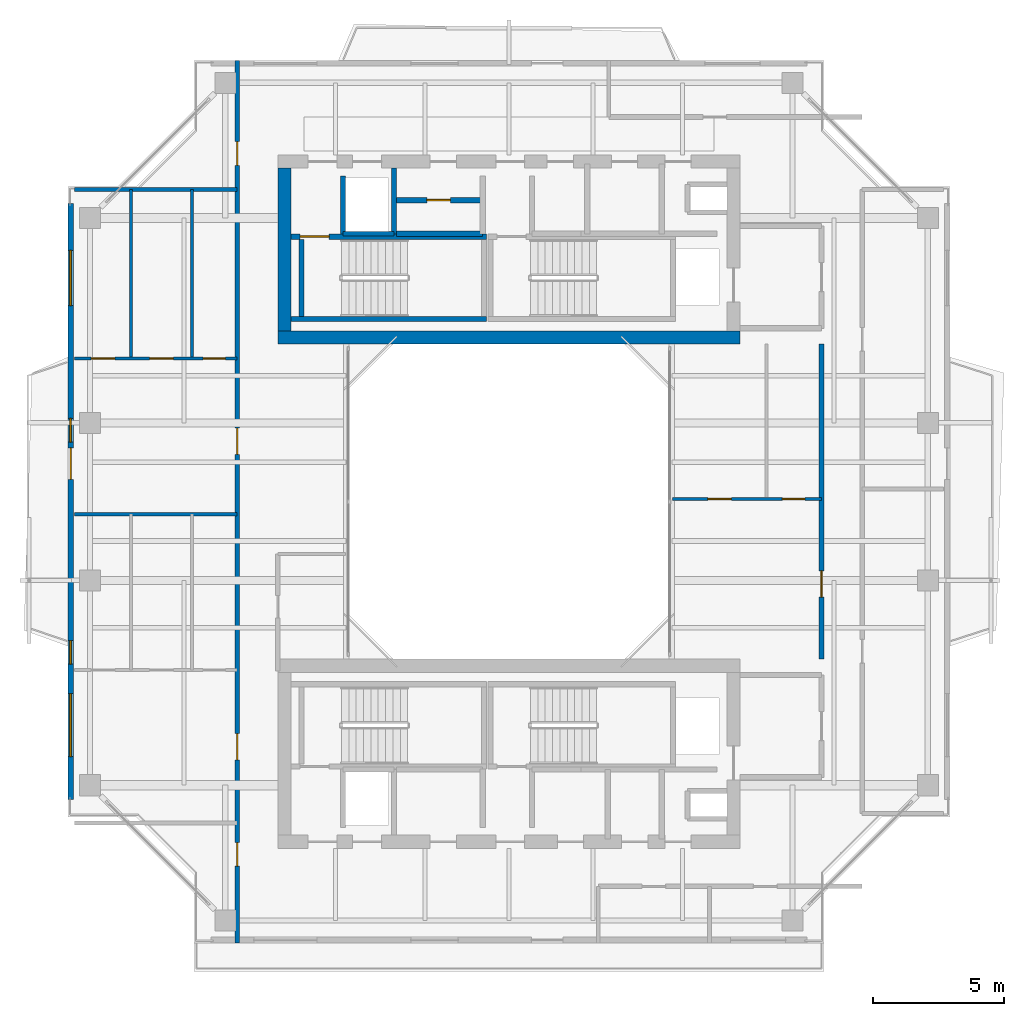
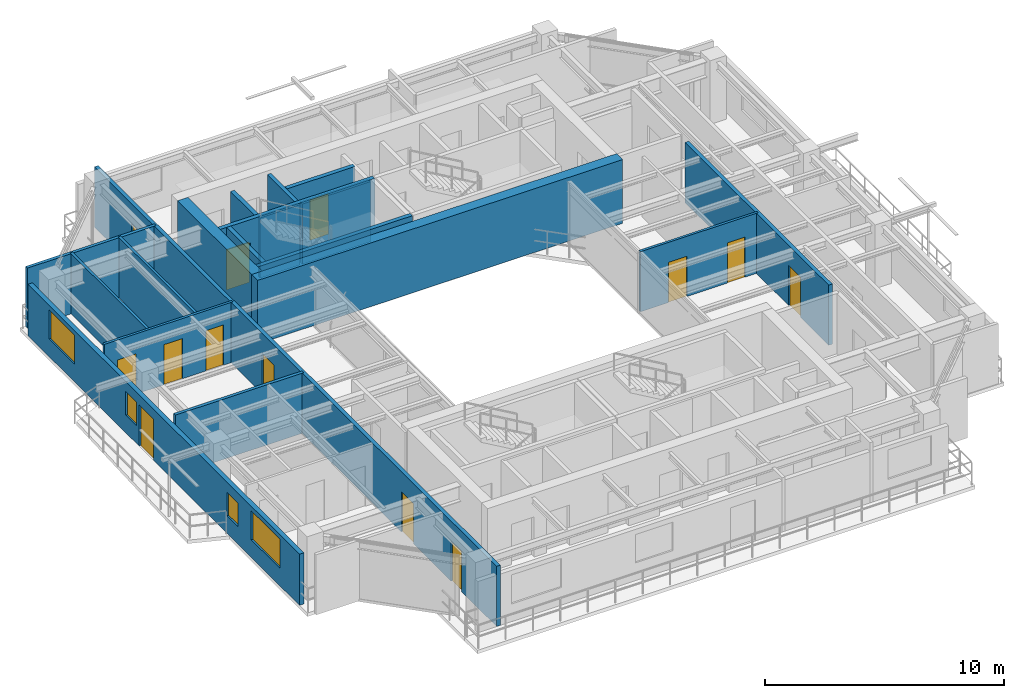
# One storey, part 11 of 16: 19 walls, 13 doors, 4 windows, 17 openings.
"""IFC4 building model written with IfcOpenShell, lengths in metres."""

import ifcopenshell
import ifcopenshell.guid

model = None  # the IFC model being written
_history = None  # IfcOwnerHistory: only IFC2X3 demands one
_inside = {}  # id of a spatial element -> (the spatial element, [elements in it])
_under = {}  # id of a project, library or spatial element -> (it, [spatial elements below it])
_declared = {}  # id of a project -> (the project, [libraries it declares])
_typed = {}  # id of a type object -> (the type object, [elements of that type])
_made_of = {}  # id of a material, layer set ... -> (it, [elements and type objects made of it])


def new_model(schema):
    """Start an empty IFC model of exactly this schema.

    Asked for "IFC4X3", IfcOpenShell would pick the latest addendum, in which some entities
    have other attributes; the version numbers below select the first issue.
    IFC2X3 requires an IfcOwnerHistory on every rooted entity: one is made here for all.
    """
    global model, _history
    if schema == "IFC4X3":
        model = ifcopenshell.file(schema_version=(4, 3, 0, 0))
    else:
        model = ifcopenshell.file(schema=schema)
    _inside.clear()
    _under.clear()
    _declared.clear()
    _typed.clear()
    _made_of.clear()
    _history = None
    if model.schema == "IFC2X3":
        org = make("IfcOrganization", Name="unknown")
        user = make(
            "IfcPersonAndOrganization",
            ThePerson=make("IfcPerson", FamilyName="unknown"),
            TheOrganization=org,
        )
        app = make(
            "IfcApplication",
            ApplicationDeveloper=org,
            Version="unknown",
            ApplicationFullName="unknown",
            ApplicationIdentifier="unknown",
        )
        _history = make(
            "IfcOwnerHistory",
            OwningUser=user,
            OwningApplication=app,
            ChangeAction="ADDED",
            CreationDate=0,
        )
    return model


def make(cls, **values):
    """One entity of the class cls with the attributes given. An attribute that is None is left unset."""
    return model.create_entity(
        cls, **{name: value for name, value in values.items() if value is not None}
    )


def rooted(cls, **values):
    """An entity with a GlobalId (a new one), such as an element, a storey or a relation."""
    return make(cls, GlobalId=ifcopenshell.guid.new(), OwnerHistory=_history, **values)


def si_unit(unit_type, name, prefix=None):
    """IfcSIUnit, for example si_unit("LENGTHUNIT", "METRE", prefix="MILLI")."""
    return make("IfcSIUnit", UnitType=unit_type, Prefix=prefix, Name=name)


def assignment(units):
    """IfcUnitAssignment: the units of a project."""
    return None if units is None else make("IfcUnitAssignment", Units=units)


def point(xyz):
    """IfcCartesianPoint."""
    return None if xyz is None else make("IfcCartesianPoint", Coordinates=xyz)


def direction(xyz):
    """IfcDirection."""
    return None if xyz is None else make("IfcDirection", DirectionRatios=xyz)


def frame(location, z_axis=None, x_axis=None):
    """IfcAxis2Placement3D, a coordinate frame: its origin and axes. An axis left out is left unset."""
    return make(
        "IfcAxis2Placement3D",
        Location=point(location),
        Axis=direction(z_axis),
        RefDirection=direction(x_axis),
    )


def frame_2d(location, x_axis=None):
    """IfcAxis2Placement2D, a coordinate frame in the plane: its origin and x axis."""
    return make(
        "IfcAxis2Placement2D", Location=point(location), RefDirection=direction(x_axis)
    )


def origin():
    """The frame at (0, 0, 0) with its axes left unset."""
    return frame((0.0, 0.0, 0.0))


def place(relative_to, where):
    """IfcLocalPlacement: puts the frame where relative to a parent placement (None: the world)."""
    return make(
        "IfcLocalPlacement", PlacementRelTo=relative_to, RelativePlacement=where
    )


def context(
    kind, dimensions, precision=None, world=None, true_north=None, identifier=None
):
    """IfcGeometricRepresentationContext, for example the 3D "Model" context."""
    return make(
        "IfcGeometricRepresentationContext",
        ContextIdentifier=identifier,
        ContextType=kind,
        CoordinateSpaceDimension=dimensions,
        Precision=precision,
        WorldCoordinateSystem=world,
        TrueNorth=true_north,
    )


def subcontext(parent, identifier, kind, view, scale=None):
    """IfcGeometricRepresentationSubContext, for example "Body" below "Model"."""
    return make(
        "IfcGeometricRepresentationSubContext",
        ContextIdentifier=identifier,
        ContextType=kind,
        ParentContext=parent,
        TargetScale=scale,
        TargetView=view,
    )


def project(units=None, contexts=None):
    """IfcProject with its units and contexts."""
    return rooted(
        "IfcProject",
        Name="project",
        RepresentationContexts=contexts,
        UnitsInContext=assignment(units),
    )


def spatial(cls, under=None, at=None, **own):
    """A site, building, storey or space (cls), placed at a placement, below another one or the project."""
    s = rooted(cls, ObjectPlacement=at, **own)
    if under is not None:
        _under.setdefault(under.id(), (under, []))[1].append(s)
    return s


def profile(cls, at=None, kind="AREA", **sizes):
    """A parametric profile (cls). Its sizes go by their IFC names, for example OverallWidth=200.0."""
    return make(cls, ProfileType=kind, Position=at, **sizes)


def rectangle(**sizes):
    """IfcRectangleProfileDef."""
    return profile("IfcRectangleProfileDef", **sizes)


def extrude(swept, where, along, depth):
    """IfcExtrudedAreaSolid: the profile swept, set in the frame where, extruded along a direction by depth."""
    return make(
        "IfcExtrudedAreaSolid",
        SweptArea=swept,
        Position=where,
        ExtrudedDirection=direction(along),
        Depth=depth,
    )


def shape(context_of_items, identifier, shape_type, items):
    """IfcShapeRepresentation: the items that make up one representation, for example the "Body"."""
    return make(
        "IfcShapeRepresentation",
        ContextOfItems=context_of_items,
        RepresentationIdentifier=identifier,
        RepresentationType=shape_type,
        Items=items,
    )


def source(mapping_origin, context_of_items, identifier, shape_type, items):
    """IfcRepresentationMap: a shape defined once, which mapped items show again and again."""
    return make(
        "IfcRepresentationMap",
        MappingOrigin=mapping_origin,
        MappedRepresentation=shape(context_of_items, identifier, shape_type, items),
    )


def transform(
    local_origin,
    x_axis=None,
    y_axis=None,
    z_axis=None,
    scale=None,
    scale2=None,
    scale3=None,
    uniform=True,
):
    """IfcCartesianTransformationOperator3D, or its non-uniform kind. x_axis, y_axis, z_axis: its Axis1, 2, 3."""
    if uniform:
        return make(
            "IfcCartesianTransformationOperator3D",
            Axis1=direction(x_axis),
            Axis2=direction(y_axis),
            LocalOrigin=point(local_origin),
            Scale=scale,
            Axis3=direction(z_axis),
        )
    return make(
        "IfcCartesianTransformationOperator3DnonUniform",
        Axis1=direction(x_axis),
        Axis2=direction(y_axis),
        LocalOrigin=point(local_origin),
        Scale=scale,
        Axis3=direction(z_axis),
        Scale2=scale2,
        Scale3=scale3,
    )


def mapped(mapping_source, mapping_target):
    """IfcMappedItem: shows the shape of a source again, moved by a transform."""
    return make(
        "IfcMappedItem", MappingSource=mapping_source, MappingTarget=mapping_target
    )


def material(Name=None, Category=None):
    """IfcMaterial."""
    return make("IfcMaterial", Name=Name, Category=Category)


def layer(
    of_material, thickness, ventilated=None, Name=None, Category=None, Priority=None
):
    """IfcMaterialLayer: one layer of a wall or slab, of a material (None: an air gap)."""
    return make(
        "IfcMaterialLayer",
        Material=of_material,
        LayerThickness=thickness,
        IsVentilated=ventilated,
        Name=Name,
        Category=Category,
        Priority=Priority,
    )


def layer_set(layers, Name=None):
    """IfcMaterialLayerSet."""
    return make("IfcMaterialLayerSet", MaterialLayers=layers, LayerSetName=Name)


def made_of(thing, what):
    """Note that an element or type object is made of a material, layer set ...; save() writes the relation."""
    if what is not None:
        _made_of.setdefault(what.id(), (what, []))[1].append(thing)
    return thing


def type_object(cls, material=None, **own):
    """A type object (cls), such as IfcWallType, which elements share."""
    return made_of(rooted(cls, **own), material)


def element(
    cls,
    number,
    at=None,
    inside=None,
    cuts=None,
    type_object=None,
    material=None,
    context=None,
    identifier="Body",
    shape_type=None,
    held_by="IfcProductDefinitionShape",
    body=None,
    shapes=None,
    **own,
):
    """One element of the class cls, such as IfcWall. Its Tag is "e" and its number.

    at: its placement. inside: the storey or other place that contains it. cuts: it is an
    opening in that element (IfcRelVoidsElement). A single representation is given by context,
    identifier, shape_type and body (its items); several are given by shapes. held_by: the class
    of the entity that holds the representations. save() writes the other relations.
    """
    e = rooted(cls, Tag="e%d" % number, ObjectPlacement=at, **own)
    if body is not None:
        shapes = [shape(context, identifier, shape_type, body)]
    if shapes is not None:
        e.Representation = make(held_by, Representations=shapes)
    if inside is not None:
        _inside.setdefault(inside.id(), (inside, []))[1].append(e)
    if cuts is not None:
        rooted(
            "IfcRelVoidsElement", RelatingBuildingElement=cuts, RelatedOpeningElement=e
        )
    if type_object is not None:
        _typed.setdefault(type_object.id(), (type_object, []))[1].append(e)
    return made_of(e, material)


def fill(opening, filler):
    """IfcRelFillsElement: the door or window that sits in an opening."""
    return rooted(
        "IfcRelFillsElement",
        RelatingOpeningElement=opening,
        RelatedBuildingElement=filler,
    )


def aggregate(whole, parts):
    """IfcRelAggregates: a whole, such as a stair, and the parts it consists of."""
    return rooted("IfcRelAggregates", RelatingObject=whole, RelatedObjects=parts)


def save(model, path):
    """Write the relations noted so far, then the file.

    IfcRelAggregates (storeys below a building ...), IfcRelContainedInSpatialStructure (elements
    in a storey), IfcRelDefinesByType, IfcRelAssociatesMaterial and IfcRelDeclares: one each for
    every whole, place, type object, material and project.
    """
    for whole, parts in _under.values():
        aggregate(whole, parts)
    for where, things in _inside.values():
        rooted(
            "IfcRelContainedInSpatialStructure",
            RelatedElements=things,
            RelatingStructure=where,
        )
    for kind, things in _typed.values():
        rooted("IfcRelDefinesByType", RelatedObjects=things, RelatingType=kind)
    for what, things in _made_of.values():
        rooted("IfcRelAssociatesMaterial", RelatedObjects=things, RelatingMaterial=what)
    for by, libraries in _declared.values():
        rooted("IfcRelDeclares", RelatingContext=by, RelatedDefinitions=libraries)
    model.write(path)


model = new_model("IFC4")

# Units and contexts
model_context = context("Model", 3, precision=1e-05, world=origin(), true_north=direction((0.0, 1.0)))
body_context = subcontext(model_context, "Body", "Model", "MODEL_VIEW")
ifc_project = project(units=[si_unit("LENGTHUNIT", "METRE"), si_unit("AREAUNIT", "SQUARE_METRE"), si_unit("VOLUMEUNIT", "CUBIC_METRE"), si_unit("PLANEANGLEUNIT", "RADIAN"), si_unit("MASSUNIT", "GRAM", prefix="KILO"), si_unit("THERMODYNAMICTEMPERATUREUNIT", "KELVIN"), si_unit("POWERUNIT", "WATT")], contexts=[model_context])

# Site, building, storey
site_placement = place(None, origin())
site = spatial("IfcSite", under=ifc_project, at=site_placement, CompositionType="ELEMENT")
building_placement = place(site_placement, origin())
building = spatial("IfcBuilding", under=site, at=building_placement, Name="Qiaomeng Ring Towers", CompositionType="ELEMENT")
storey_placement = place(building_placement, frame((0.0, 0.0, 190.5)))
storey = spatial("IfcBuildingStorey", under=building, at=storey_placement, Name="L55", CompositionType="ELEMENT", Elevation=190.5)

# Wall, openings, windows, door
ifc_material_1 = material(Name="Precast concrete C40", Category="concrete")
ifc_layer_1 = layer(ifc_material_1, 0.219970703125, Name="Precast concrete C40")
ifc_layer_set_1 = layer_set([ifc_layer_1], Name="Precast concrete C40")
wall_type_1 = type_object("IfcWallType", Name="ARC-WL-EW2", PredefinedType="STANDARD", material=ifc_layer_set_1)
wall_1_placement = place(storey_placement, frame((2.31005859375, 11.64990234375, 0.0), z_axis=(0.0, 0.0, 1.0), x_axis=(0.0, 1.0, 0.0)))
wall_1 = element("IfcWall", 1, at=wall_1_placement, inside=storey, type_object=wall_type_1, Name="L55 Tower 1 W Exterior Wall", PredefinedType="STANDARD", context=body_context, shape_type="SweptSolid", body=[
    extrude(rectangle(XDim=22.7001953125, YDim=0.219970703125, at=frame_2d((11.35009765625, 0.0))), origin(), (0.0, 0.0, 1.0), 2.610107421875),
])
opening_1_placement = place(wall_1_placement, frame((12.199951171875, 0.0, 0.0)))
opening_1 = element("IfcOpeningElement", 2, at=opening_1_placement, cuts=wall_1, Name="Opening BD1", PredefinedType="OPENING", context=body_context, shape_type="SweptSolid", body=[
    extrude(rectangle(XDim=1.199951171875, YDim=2.10009765625, at=frame_2d((0.60009765625, 1.050048828125))), frame((0.0, 0.119873046875, 0.0), z_axis=(0.0, -1.0, 0.0), x_axis=(1.0, 0.0, 0.0)), (0.0, 0.0, 1.0), 0.239990234375),
])
opening_2_placement = place(wall_1_placement, frame((1.637939453125, 0.0, 0.89990234375)))
opening_2 = element("IfcOpeningElement", 3, at=opening_2_placement, cuts=wall_1, Name="Opening WN6", PredefinedType="OPENING", context=body_context, shape_type="SweptSolid", body=[
    extrude(rectangle(XDim=2.39990234375, YDim=1.47998046875, at=frame_2d((1.199951171875, 0.739990234375))), frame((0.0, 0.119873046875, 0.0), z_axis=(0.0, -1.0, 0.0), x_axis=(1.0, 0.0, 0.0)), (0.0, 0.0, 1.0), 0.239990234375),
])
opening_3_placement = place(wall_1_placement, frame((18.81298828125, 0.0, 0.89990234375)))
opening_3 = element("IfcOpeningElement", 4, at=opening_3_placement, cuts=wall_1, Name="Opening WN4", PredefinedType="OPENING", context=body_context, shape_type="SweptSolid", body=[
    extrude(rectangle(XDim=2.10009765625, YDim=1.47998046875, at=frame_2d((1.050048828125, 0.739990234375))), frame((0.0, 0.119873046875, 0.0), z_axis=(0.0, -1.0, 0.0), x_axis=(1.0, 0.0, 0.0)), (0.0, 0.0, 1.0), 0.239990234375),
])
opening_4_placement = place(wall_1_placement, frame((5.159912109375, 0.0, 0.89990234375)))
opening_4 = element("IfcOpeningElement", 5, at=opening_4_placement, cuts=wall_1, Name="Opening WN5", PredefinedType="OPENING", context=body_context, shape_type="SweptSolid", body=[
    extrude(rectangle(XDim=0.89990234375, YDim=1.199951171875, at=frame_2d((0.449951171875, 0.60009765625))), frame((0.0, 0.119873046875, 0.0), z_axis=(0.0, -1.0, 0.0), x_axis=(1.0, 0.0, 0.0)), (0.0, 0.0, 1.0), 0.239990234375),
])
opening_5_placement = place(wall_1_placement, frame((13.6201171875, 0.0, 0.89990234375)))
opening_5 = element("IfcOpeningElement", 6, at=opening_5_placement, cuts=wall_1, Name="Opening WN5", PredefinedType="OPENING", context=body_context, shape_type="SweptSolid", body=[
    extrude(rectangle(XDim=0.89990234375, YDim=1.199951171875, at=frame_2d((0.449951171875, 0.60009765625))), frame((0.0, 0.119873046875, 0.0), z_axis=(0.0, -1.0, 0.0), x_axis=(1.0, 0.0, 0.0)), (0.0, 0.0, 1.0), 0.239990234375),
])
ifc_material_2 = material(Name="Low-E dark-grey laminated double glazing", Category="glass")
window_type_1 = type_object("IfcWindowType", Name="ARC-WN-4", PartitioningType="TRIPLE_PANEL_VERTICAL", PredefinedType="WINDOW", material=ifc_material_2)
shared_shape_1 = source(origin(), body_context, "Body", "SweptSolid", [
    extrude(rectangle(XDim=2.10009765625, YDim=1.47998046875, at=frame_2d((1.050048828125, 0.739990234375))), frame((0.0, 0.030029296875, 0.0), z_axis=(0.0, -1.0, 0.0), x_axis=(1.0, 0.0, 0.0)), (0.0, 0.0, 1.0), 0.06005859375),
])
window_1_placement = place(opening_3_placement, origin())
window_1 = element("IfcWindow", 7, at=window_1_placement, inside=storey, type_object=window_type_1, Name="L55 Exterior Window WN4", OverallHeight=1.47998046875, OverallWidth=2.10009765625, PartitioningType="TRIPLE_PANEL_VERTICAL", PredefinedType="WINDOW", context=body_context, shape_type="MappedRepresentation", body=[
    mapped(shared_shape_1, transform((0.0, 0.0, 0.0), x_axis=(1.0, 0.0, 0.0), y_axis=(0.0, 1.0, 0.0), z_axis=(0.0, 0.0, 1.0), scale=1.0)),
])
fill(opening_3, window_1)
window_type_2 = type_object("IfcWindowType", Name="ARC-WN-6", PartitioningType="TRIPLE_PANEL_VERTICAL", PredefinedType="WINDOW", material=ifc_material_2)
shared_shape_2 = source(origin(), body_context, "Body", "SweptSolid", [
    extrude(rectangle(XDim=2.39990234375, YDim=1.47998046875, at=frame_2d((1.199951171875, 0.739990234375))), frame((0.0, 0.030029296875, 0.0), z_axis=(0.0, -1.0, 0.0), x_axis=(1.0, 0.0, 0.0)), (0.0, 0.0, 1.0), 0.06005859375),
])
window_2_placement = place(opening_2_placement, origin())
window_2 = element("IfcWindow", 8, at=window_2_placement, inside=storey, type_object=window_type_2, Name="L55 Exterior Window WN6", OverallHeight=1.47998046875, OverallWidth=2.39990234375, PartitioningType="TRIPLE_PANEL_VERTICAL", PredefinedType="WINDOW", context=body_context, shape_type="MappedRepresentation", body=[
    mapped(shared_shape_2, transform((0.0, 0.0, 0.0), x_axis=(1.0, 0.0, 0.0), y_axis=(0.0, 1.0, 0.0), z_axis=(0.0, 0.0, 1.0), scale=1.0)),
])
fill(opening_2, window_2)
door_type_1 = type_object("IfcDoorType", Name="ARC-DR-BD1", OperationType="NOTDEFINED", PredefinedType="DOOR", material=ifc_material_2)
shared_shape_3 = source(origin(), body_context, "Body", "SweptSolid", [
    extrude(rectangle(XDim=1.199951171875, YDim=2.10009765625, at=frame_2d((0.60009765625, 1.050048828125))), frame((0.0, 0.02490234375, 0.0), z_axis=(0.0, -1.0, 0.0), x_axis=(1.0, 0.0, 0.0)), (0.0, 0.0, 1.0), 0.050048828125),
])
door_1_placement = place(opening_1_placement, frame((1.199951171875, 0.0, 0.0), z_axis=(0.0, 0.0, 1.0), x_axis=(-1.0, 0.0, 0.0)))
door_1 = element("IfcDoor", 9, at=door_1_placement, inside=storey, type_object=door_type_1, Name="L55 W Balcony Glazed Door", OperationType="SINGLE_SWING_LEFT", OverallHeight=2.10009765625, OverallWidth=1.199951171875, PredefinedType="DOOR", context=body_context, shape_type="MappedRepresentation", body=[
    mapped(shared_shape_3, transform((0.0, 0.0, 0.0), x_axis=(1.0, 0.0, 0.0), y_axis=(0.0, 1.0, 0.0), z_axis=(0.0, 0.0, 1.0), scale=1.0)),
])
fill(opening_1, door_1)
window_type_3 = type_object("IfcWindowType", Name="ARC-WN-5", PartitioningType="SINGLE_PANEL", PredefinedType="WINDOW", material=ifc_material_2)
shared_shape_4 = source(origin(), body_context, "Body", "SweptSolid", [
    extrude(rectangle(XDim=0.89990234375, YDim=1.199951171875, at=frame_2d((0.449951171875, 0.60009765625))), frame((0.0, 0.030029296875, 0.0), z_axis=(0.0, -1.0, 0.0), x_axis=(1.0, 0.0, 0.0)), (0.0, 0.0, 1.0), 0.06005859375),
])
window_3_placement = place(opening_4_placement, origin())
window_3 = element("IfcWindow", 10, at=window_3_placement, inside=storey, type_object=window_type_3, Name="L55 Exterior Window WN5", OverallHeight=1.199951171875, OverallWidth=0.89990234375, PartitioningType="SINGLE_PANEL", PredefinedType="WINDOW", context=body_context, shape_type="MappedRepresentation", body=[
    mapped(shared_shape_4, transform((0.0, 0.0, 0.0), x_axis=(1.0, 0.0, 0.0), y_axis=(0.0, 1.0, 0.0), z_axis=(0.0, 0.0, 1.0), scale=1.0)),
])
fill(opening_4, window_3)
window_4_placement = place(opening_5_placement, origin())
window_4 = element("IfcWindow", 11, at=window_4_placement, inside=storey, type_object=window_type_3, Name="L55 Exterior Window WN5", OverallHeight=1.199951171875, OverallWidth=0.89990234375, PartitioningType="SINGLE_PANEL", PredefinedType="WINDOW", context=body_context, shape_type="MappedRepresentation", body=[
    mapped(shared_shape_4, transform((0.0, 0.0, 0.0), x_axis=(1.0, 0.0, 0.0), y_axis=(0.0, 1.0, 0.0), z_axis=(0.0, 0.0, 1.0), scale=1.0)),
])
fill(opening_5, window_4)

# Wall
ifc_material_3 = material(Name="Autoclaved aerated concrete block", Category="concrete")
ifc_layer_2 = layer(ifc_material_3, 0.199951171875, Name="Autoclaved aerated concrete block")
ifc_layer_set_2 = layer_set([ifc_layer_2], Name="Autoclaved aerated concrete block")
wall_type_2 = type_object("IfcWallType", Name="ARC-WL-PW1", PredefinedType="PARTITIONING", material=ifc_layer_set_2)
wall_2_placement = place(storey_placement, frame((12.679931640625, 33.18994140625, 0.0), z_axis=(0.0, 0.0, 1.0), x_axis=(0.0, 1.0, 0.0)))
element("IfcWall", 12, at=wall_2_placement, inside=storey, type_object=wall_type_2, Name="L55 Interior Wall PW1", PredefinedType="PARTITIONING", context=body_context, shape_type="SweptSolid", body=[
    extrude(rectangle(XDim=2.2099609375, YDim=0.199951171875, at=frame_2d((1.10498046875, 0.0))), origin(), (0.0, 0.0, 1.0), 3.070068359375),
])

# Wall, opening, door
wall_3_placement = place(storey_placement, frame((14.719970703125, 34.47998046875, 0.0), z_axis=(0.0, 0.0, 1.0), x_axis=(1.0, 0.0, 0.0)))
wall_3 = element("IfcWall", 13, at=wall_3_placement, inside=storey, type_object=wall_type_2, Name="L55 Interior Wall PW1", PredefinedType="PARTITIONING", context=body_context, shape_type="SweptSolid", body=[
    extrude(rectangle(XDim=3.280029296875, YDim=0.199951171875, at=frame_2d((1.64013671875, 0.0))), origin(), (0.0, 0.0, 1.0), 3.070068359375),
])
opening_6_placement = place(wall_3_placement, frame((1.14990234375, 0.0, 0.0)))
opening_6 = element("IfcOpeningElement", 14, at=opening_6_placement, cuts=wall_3, Name="Opening ID1", PredefinedType="OPENING", context=body_context, shape_type="SweptSolid", body=[
    extrude(rectangle(XDim=0.89990234375, YDim=2.050048828125, at=frame_2d((0.449951171875, 1.02490234375))), frame((0.0, 0.10986328125, 0.0), z_axis=(0.0, -1.0, 0.0), x_axis=(1.0, 0.0, 0.0)), (0.0, 0.0, 1.0), 0.219970703125),
])
ifc_material_4 = material(Name="Engineered oak timber", Category="wood")
door_type_2 = type_object("IfcDoorType", Name="ARC-DR-ID1", OperationType="NOTDEFINED", PredefinedType="DOOR", material=ifc_material_4)
shared_shape_5 = source(origin(), body_context, "Body", "SweptSolid", [
    extrude(rectangle(XDim=0.89990234375, YDim=2.050048828125, at=frame_2d((0.449951171875, 1.02490234375))), frame((0.0, 0.02490234375, 0.0), z_axis=(0.0, -1.0, 0.0), x_axis=(1.0, 0.0, 0.0)), (0.0, 0.0, 1.0), 0.050048828125),
])
door_2_placement = place(opening_6_placement, origin())
door_2 = element("IfcDoor", 15, at=door_2_placement, inside=storey, type_object=door_type_2, Name="L55 Door ID1", OperationType="SINGLE_SWING_LEFT", OverallHeight=2.050048828125, OverallWidth=0.89990234375, PredefinedType="DOOR", context=body_context, shape_type="MappedRepresentation", body=[
    mapped(shared_shape_5, transform((0.0, 0.0, 0.0), x_axis=(1.0, 0.0, 0.0), y_axis=(0.0, 1.0, 0.0), z_axis=(0.0, 0.0, 1.0), scale=1.0)),
])
fill(opening_6, door_2)

# Wall
wall_4_placement = place(storey_placement, frame((14.719970703125, 33.199951171875, 0.0), z_axis=(0.0, 0.0, 1.0), x_axis=(1.0, 0.0, 0.0)))
element("IfcWall", 16, at=wall_4_placement, inside=storey, type_object=wall_type_2, Name="L55 Interior Wall PW1", PredefinedType="PARTITIONING", context=body_context, shape_type="SweptSolid", body=[
    extrude(rectangle(XDim=3.280029296875, YDim=0.199951171875, at=frame_2d((1.64013671875, 0.0))), origin(), (0.0, 0.0, 1.0), 3.070068359375),
])

# Wall, openings, doors
ifc_layer_3 = layer(ifc_material_3, 0.179931640625, Name="Autoclaved aerated concrete block")
ifc_layer_set_3 = layer_set([ifc_layer_3], Name="Autoclaved aerated concrete block")
wall_type_3 = type_object("IfcWallType", Name="ARC-WL-PW2", PredefinedType="PARTITIONING", material=ifc_layer_set_3)
wall_5_placement = place(storey_placement, frame((8.64990234375, 6.199951171875, 0.0), z_axis=(0.0, 0.0, 1.0), x_axis=(0.0, 1.0, 0.0)))
wall_5 = element("IfcWall", 17, at=wall_5_placement, inside=storey, type_object=wall_type_3, Name="L55 Interior Wall PW2", PredefinedType="PARTITIONING", context=body_context, shape_type="SweptSolid", body=[
    extrude(rectangle(XDim=33.60009765625, YDim=0.179931640625, at=frame_2d((16.800048828125, 0.0))), origin(), (0.0, 0.0, 1.0), 3.070068359375),
])
opening_7_placement = place(wall_5_placement, frame((29.60498046875, 0.0, 0.0)))
opening_7 = element("IfcOpeningElement", 18, at=opening_7_placement, cuts=wall_5, Name="Opening ID1", PredefinedType="OPENING", context=body_context, shape_type="SweptSolid", body=[
    extrude(rectangle(XDim=0.89990234375, YDim=2.050048828125, at=frame_2d((0.449951171875, 1.02490234375))), frame((0.0, 0.099853515625, 0.0), z_axis=(0.0, -1.0, 0.0), x_axis=(1.0, 0.0, 0.0)), (0.0, 0.0, 1.0), 0.199951171875),
])
opening_8_placement = place(wall_5_placement, frame((2.919921875, 0.0, 0.0)))
opening_8 = element("IfcOpeningElement", 19, at=opening_8_placement, cuts=wall_5, Name="Opening ID1", PredefinedType="OPENING", context=body_context, shape_type="SweptSolid", body=[
    extrude(rectangle(XDim=0.89990234375, YDim=2.050048828125, at=frame_2d((0.449951171875, 1.02490234375))), frame((0.0, 0.099853515625, 0.0), z_axis=(0.0, -1.0, 0.0), x_axis=(1.0, 0.0, 0.0)), (0.0, 0.0, 1.0), 0.199951171875),
])
opening_9_placement = place(wall_5_placement, frame((6.965087890625, 0.0, 0.0)))
opening_9 = element("IfcOpeningElement", 20, at=opening_9_placement, cuts=wall_5, Name="Opening FD4", PredefinedType="OPENING", context=body_context, shape_type="SweptSolid", body=[
    extrude(rectangle(XDim=1.0, YDim=2.050048828125, at=frame_2d((0.5, 1.02490234375))), frame((0.0, 0.099853515625, 0.0), z_axis=(0.0, -1.0, 0.0), x_axis=(1.0, 0.0, 0.0)), (0.0, 0.0, 1.0), 0.199951171875),
])
opening_10_placement = place(wall_5_placement, frame((18.594970703125, 0.0, 0.0)))
opening_10 = element("IfcOpeningElement", 21, at=opening_10_placement, cuts=wall_5, Name="Opening FD4", PredefinedType="OPENING", context=body_context, shape_type="SweptSolid", body=[
    extrude(rectangle(XDim=1.0, YDim=2.050048828125, at=frame_2d((0.5, 1.02490234375))), frame((0.0, 0.099853515625, 0.0), z_axis=(0.0, -1.0, 0.0), x_axis=(1.0, 0.0, 0.0)), (0.0, 0.0, 1.0), 0.199951171875),
])
ifc_material_5 = material(Name="Engineered fire-rated oak timber", Category="wood")
door_type_3 = type_object("IfcDoorType", Name="ARC-DR-FD4", OperationType="NOTDEFINED", PredefinedType="DOOR", material=ifc_material_5)
shared_shape_6 = source(origin(), body_context, "Body", "SweptSolid", [
    extrude(rectangle(XDim=1.0, YDim=2.050048828125, at=frame_2d((0.5, 1.02490234375))), frame((0.0, 0.02490234375, 0.0), z_axis=(0.0, -1.0, 0.0), x_axis=(1.0, 0.0, 0.0)), (0.0, 0.0, 1.0), 0.050048828125),
])
door_3_placement = place(opening_9_placement, origin())
door_3 = element("IfcDoor", 22, at=door_3_placement, inside=storey, type_object=door_type_3, Name="L55 Door FD4", OperationType="SINGLE_SWING_RIGHT", OverallHeight=2.050048828125, OverallWidth=1.0, PredefinedType="DOOR", context=body_context, shape_type="MappedRepresentation", body=[
    mapped(shared_shape_6, transform((0.0, 0.0, 0.0), x_axis=(1.0, 0.0, 0.0), y_axis=(0.0, 1.0, 0.0), z_axis=(0.0, 0.0, 1.0), scale=1.0)),
])
fill(opening_9, door_3)
door_4_placement = place(opening_10_placement, origin())
door_4 = element("IfcDoor", 23, at=door_4_placement, inside=storey, type_object=door_type_3, Name="L55 Door FD4", OperationType="SINGLE_SWING_RIGHT", OverallHeight=2.050048828125, OverallWidth=1.0, PredefinedType="DOOR", context=body_context, shape_type="MappedRepresentation", body=[
    mapped(shared_shape_6, transform((0.0, 0.0, 0.0), x_axis=(1.0, 0.0, 0.0), y_axis=(0.0, 1.0, 0.0), z_axis=(0.0, 0.0, 1.0), scale=1.0)),
])
fill(opening_10, door_4)
door_5_placement = place(opening_7_placement, origin())
door_5 = element("IfcDoor", 24, at=door_5_placement, inside=storey, type_object=door_type_2, Name="L55 Door ID1", OperationType="SINGLE_SWING_LEFT", OverallHeight=2.050048828125, OverallWidth=0.89990234375, PredefinedType="DOOR", context=body_context, shape_type="MappedRepresentation", body=[
    mapped(shared_shape_5, transform((0.0, 0.0, 0.0), x_axis=(1.0, 0.0, 0.0), y_axis=(0.0, 1.0, 0.0), z_axis=(0.0, 0.0, 1.0), scale=1.0)),
])
fill(opening_7, door_5)
door_6_placement = place(opening_8_placement, origin())
door_6 = element("IfcDoor", 25, at=door_6_placement, inside=storey, type_object=door_type_2, Name="L55 Door ID1", OperationType="SINGLE_SWING_RIGHT", OverallHeight=2.050048828125, OverallWidth=0.89990234375, PredefinedType="DOOR", context=body_context, shape_type="MappedRepresentation", body=[
    mapped(shared_shape_5, transform((0.0, 0.0, 0.0), x_axis=(1.0, 0.0, 0.0), y_axis=(0.0, 1.0, 0.0), z_axis=(0.0, 0.0, 1.0), scale=1.0)),
])
fill(opening_8, door_6)

# Wall, opening, door
wall_6_placement = place(storey_placement, frame((30.89990234375, 17.0, 0.0), z_axis=(0.0, 0.0, 1.0), x_axis=(0.0, 1.0, 0.0)))
wall_6 = element("IfcWall", 26, at=wall_6_placement, inside=storey, type_object=wall_type_3, Name="L55 Interior Wall PW2", PredefinedType="PARTITIONING", context=body_context, shape_type="SweptSolid", body=[
    extrude(rectangle(XDim=12.0, YDim=0.179931640625, at=frame_2d((6.0, 0.0))), origin(), (0.0, 0.0, 1.0), 3.070068359375),
])
opening_11_placement = place(wall_6_placement, frame((2.360107421875, 0.0, 0.0)))
opening_11 = element("IfcOpeningElement", 27, at=opening_11_placement, cuts=wall_6, Name="Opening FD4", PredefinedType="OPENING", context=body_context, shape_type="SweptSolid", body=[
    extrude(rectangle(XDim=1.0, YDim=2.050048828125, at=frame_2d((0.5, 1.02490234375))), frame((0.0, 0.099853515625, 0.0), z_axis=(0.0, -1.0, 0.0), x_axis=(1.0, 0.0, 0.0)), (0.0, 0.0, 1.0), 0.199951171875),
])
door_7_placement = place(opening_11_placement, origin())
door_7 = element("IfcDoor", 28, at=door_7_placement, inside=storey, type_object=door_type_3, Name="L55 Door FD4", OperationType="SINGLE_SWING_RIGHT", OverallHeight=2.050048828125, OverallWidth=1.0, PredefinedType="DOOR", context=body_context, shape_type="MappedRepresentation", body=[
    mapped(shared_shape_6, transform((0.0, 0.0, 0.0), x_axis=(1.0, 0.0, 0.0), y_axis=(0.0, 1.0, 0.0), z_axis=(0.0, 0.0, 1.0), scale=1.0)),
])
fill(opening_11, door_7)

# Walls
ifc_material_6 = material(Name="Gypsum fireboard steel-stud partition", Category="steel")
ifc_layer_4 = layer(ifc_material_6, 0.14990234375, Name="Gypsum fireboard steel-stud partition")
ifc_layer_set_4 = layer_set([ifc_layer_4], Name="Gypsum fireboard steel-stud partition")
wall_type_4 = type_object("IfcWallType", Name="ARC-WL-PW3", PredefinedType="PARTITIONING", material=ifc_layer_set_4)
for number, where, z_axis, x_axis, name in (
    (29, (2.449951171875, 34.8798828125, 0.0), (0.0, 0.0, 1.0), (1.0, 0.0, 0.0), "L55 Interior Wall PW3"),
    (30, (2.449951171875, 22.52001953125, 0.0), (0.0, 0.0, 1.0), (1.0, 0.0, 0.0), "L55 Interior Wall PW3"),
):
    element("IfcWall", number, at=place(storey_placement, frame(where, z_axis=z_axis, x_axis=x_axis)), inside=storey, type_object=wall_type_4, Name=name, PredefinedType="PARTITIONING", context=body_context, shape_type="SweptSolid", body=[
        extrude(rectangle(XDim=6.199951171875, YDim=0.14990234375, at=frame_2d((3.10009765625, 0.0))), origin(), (0.0, 0.0, 1.0), 3.070068359375),
    ])

# Wall, openings, doors
ifc_material_7 = material(Name="Moisture-resistant gypsum steel-stud partition", Category="steel")
ifc_layer_5 = layer(ifc_material_7, 0.1201171875, Name="Moisture-resistant gypsum steel-stud partition")
ifc_layer_set_5 = layer_set([ifc_layer_5], Name="Moisture-resistant gypsum steel-stud partition")
wall_type_5 = type_object("IfcWallType", Name="ARC-WL-PW4", PredefinedType="PLUMBINGWALL", material=ifc_layer_set_5)
wall_7_placement = place(storey_placement, frame((2.449951171875, 28.449951171875, 0.0), z_axis=(0.0, 0.0, 1.0), x_axis=(1.0, 0.0, 0.0)))
wall_7 = element("IfcWall", 31, at=wall_7_placement, inside=storey, type_object=wall_type_5, Name="L55 Interior Wall PW4", PredefinedType="PLUMBINGWALL", context=body_context, shape_type="SweptSolid", body=[
    extrude(rectangle(XDim=6.199951171875, YDim=0.1201171875, at=frame_2d((3.10009765625, 0.0))), origin(), (0.0, 0.0, 1.0), 3.070068359375),
])
opening_12_placement = place(wall_7_placement, frame((0.639892578125, 0.0, 0.0)))
opening_12 = element("IfcOpeningElement", 32, at=opening_12_placement, cuts=wall_7, Name="Opening ID1", PredefinedType="OPENING", context=body_context, shape_type="SweptSolid", body=[
    extrude(rectangle(XDim=0.89990234375, YDim=2.050048828125, at=frame_2d((0.449951171875, 1.02490234375))), frame((0.0, 0.070068359375, 0.0), z_axis=(0.0, -1.0, 0.0), x_axis=(1.0, 0.0, 0.0)), (0.0, 0.0, 1.0), 0.14013671875),
])
opening_13_placement = place(wall_7_placement, frame((2.8701171875, 0.0, 0.0)))
opening_13 = element("IfcOpeningElement", 33, at=opening_13_placement, cuts=wall_7, Name="Opening ID1", PredefinedType="OPENING", context=body_context, shape_type="SweptSolid", body=[
    extrude(rectangle(XDim=0.89990234375, YDim=2.050048828125, at=frame_2d((0.449951171875, 1.02490234375))), frame((0.0, 0.070068359375, 0.0), z_axis=(0.0, -1.0, 0.0), x_axis=(1.0, 0.0, 0.0)), (0.0, 0.0, 1.0), 0.14013671875),
])
opening_14_placement = place(wall_7_placement, frame((4.905029296875, 0.0, 0.0)))
opening_14 = element("IfcOpeningElement", 34, at=opening_14_placement, cuts=wall_7, Name="Opening ID2", PredefinedType="OPENING", context=body_context, shape_type="SweptSolid", body=[
    extrude(rectangle(XDim=0.85009765625, YDim=2.050048828125, at=frame_2d((0.425048828125, 1.02490234375))), frame((0.0, 0.070068359375, 0.0), z_axis=(0.0, -1.0, 0.0), x_axis=(1.0, 0.0, 0.0)), (0.0, 0.0, 1.0), 0.14013671875),
])
ifc_material_8 = material(Name="Moisture-resistant engineered timber", Category="wood")
door_type_4 = type_object("IfcDoorType", Name="ARC-DR-ID2", OperationType="NOTDEFINED", PredefinedType="DOOR", material=ifc_material_8)
shared_shape_7 = source(origin(), body_context, "Body", "SweptSolid", [
    extrude(rectangle(XDim=0.85009765625, YDim=2.050048828125, at=frame_2d((0.425048828125, 1.02490234375))), frame((0.0, 0.02490234375, 0.0), z_axis=(0.0, -1.0, 0.0), x_axis=(1.0, 0.0, 0.0)), (0.0, 0.0, 1.0), 0.050048828125),
])
door_8_placement = place(opening_14_placement, origin())
door_8 = element("IfcDoor", 35, at=door_8_placement, inside=storey, type_object=door_type_4, Name="L55 Door ID2", OperationType="SINGLE_SWING_LEFT", OverallHeight=2.050048828125, OverallWidth=0.85009765625, PredefinedType="DOOR", context=body_context, shape_type="MappedRepresentation", body=[
    mapped(shared_shape_7, transform((0.0, 0.0, 0.0), x_axis=(1.0, 0.0, 0.0), y_axis=(0.0, 1.0, 0.0), z_axis=(0.0, 0.0, 1.0), scale=1.0)),
])
fill(opening_14, door_8)
door_9_placement = place(opening_12_placement, origin())
door_9 = element("IfcDoor", 36, at=door_9_placement, inside=storey, type_object=door_type_2, Name="L55 Door ID1", OperationType="SINGLE_SWING_LEFT", OverallHeight=2.050048828125, OverallWidth=0.89990234375, PredefinedType="DOOR", context=body_context, shape_type="MappedRepresentation", body=[
    mapped(shared_shape_5, transform((0.0, 0.0, 0.0), x_axis=(1.0, 0.0, 0.0), y_axis=(0.0, 1.0, 0.0), z_axis=(0.0, 0.0, 1.0), scale=1.0)),
])
fill(opening_12, door_9)
door_10_placement = place(opening_13_placement, origin())
door_10 = element("IfcDoor", 37, at=door_10_placement, inside=storey, type_object=door_type_2, Name="L55 Door ID1", OperationType="SINGLE_SWING_RIGHT", OverallHeight=2.050048828125, OverallWidth=0.89990234375, PredefinedType="DOOR", context=body_context, shape_type="MappedRepresentation", body=[
    mapped(shared_shape_5, transform((0.0, 0.0, 0.0), x_axis=(1.0, 0.0, 0.0), y_axis=(0.0, 1.0, 0.0), z_axis=(0.0, 0.0, 1.0), scale=1.0)),
])
fill(opening_13, door_10)

# Walls
for number, where, z_axis, x_axis, name in (
    (38, (4.610107421875, 28.449951171875, 0.0), (0.0, 0.0, 1.0), (0.0, 1.0, 0.0), "L55 Interior Wall PW4"),
    (39, (6.929931640625, 28.449951171875, 0.0), (0.0, 0.0, 1.0), (0.0, 1.0, 0.0), "L55 Interior Wall PW4"),
):
    element("IfcWall", number, at=place(storey_placement, frame(where, z_axis=z_axis, x_axis=x_axis)), inside=storey, type_object=wall_type_5, Name=name, PredefinedType="PLUMBINGWALL", context=body_context, shape_type="SweptSolid", body=[
        extrude(rectangle(XDim=6.429931640625, YDim=0.1201171875, at=frame_2d((3.21484375, 0.0))), origin(), (0.0, 0.0, 1.0), 3.070068359375),
    ])

# Wall, openings, doors
wall_8_placement = place(storey_placement, frame((25.219970703125, 23.10009765625, 0.0), z_axis=(0.0, 0.0, 1.0), x_axis=(1.0, 0.0, 0.0)))
wall_8 = element("IfcWall", 40, at=wall_8_placement, inside=storey, type_object=wall_type_5, Name="L55 Interior Wall PW4", PredefinedType="PLUMBINGWALL", context=body_context, shape_type="SweptSolid", body=[
    extrude(rectangle(XDim=5.679931640625, YDim=0.1201171875, at=frame_2d((2.83984375, 0.0))), origin(), (0.0, 0.0, 1.0), 3.070068359375),
])
opening_15_placement = place(wall_8_placement, frame((1.35009765625, 0.0, 0.0)))
opening_15 = element("IfcOpeningElement", 41, at=opening_15_placement, cuts=wall_8, Name="Opening ID1", PredefinedType="OPENING", context=body_context, shape_type="SweptSolid", body=[
    extrude(rectangle(XDim=0.89990234375, YDim=2.050048828125, at=frame_2d((0.449951171875, 1.02490234375))), frame((0.0, 0.070068359375, 0.0), z_axis=(0.0, -1.0, 0.0), x_axis=(1.0, 0.0, 0.0)), (0.0, 0.0, 1.0), 0.14013671875),
])
opening_16_placement = place(wall_8_placement, frame((4.195068359375, 0.0, 0.0)))
opening_16 = element("IfcOpeningElement", 42, at=opening_16_placement, cuts=wall_8, Name="Opening ID2", PredefinedType="OPENING", context=body_context, shape_type="SweptSolid", body=[
    extrude(rectangle(XDim=0.85009765625, YDim=2.050048828125, at=frame_2d((0.425048828125, 1.02490234375))), frame((0.0, 0.070068359375, 0.0), z_axis=(0.0, -1.0, 0.0), x_axis=(1.0, 0.0, 0.0)), (0.0, 0.0, 1.0), 0.14013671875),
])
door_11_placement = place(opening_16_placement, origin())
door_11 = element("IfcDoor", 43, at=door_11_placement, inside=storey, type_object=door_type_4, Name="L55 Door ID2", OperationType="SINGLE_SWING_LEFT", OverallHeight=2.050048828125, OverallWidth=0.85009765625, PredefinedType="DOOR", context=body_context, shape_type="MappedRepresentation", body=[
    mapped(shared_shape_7, transform((0.0, 0.0, 0.0), x_axis=(1.0, 0.0, 0.0), y_axis=(0.0, 1.0, 0.0), z_axis=(0.0, 0.0, 1.0), scale=1.0)),
])
fill(opening_16, door_11)
door_12_placement = place(opening_15_placement, origin())
door_12 = element("IfcDoor", 44, at=door_12_placement, inside=storey, type_object=door_type_2, Name="L55 Door ID1", OperationType="SINGLE_SWING_RIGHT", OverallHeight=2.050048828125, OverallWidth=0.89990234375, PredefinedType="DOOR", context=body_context, shape_type="MappedRepresentation", body=[
    mapped(shared_shape_5, transform((0.0, 0.0, 0.0), x_axis=(1.0, 0.0, 0.0), y_axis=(0.0, 1.0, 0.0), z_axis=(0.0, 0.0, 1.0), scale=1.0)),
])
fill(opening_15, door_12)

# Walls
ifc_material_9 = material(Name="Concrete C40", Category="concrete")
ifc_layer_6 = layer(ifc_material_9, 0.199951171875, Name="Concrete C40")
ifc_layer_set_6 = layer_set([ifc_layer_6], Name="Concrete C40")
wall_type_6 = type_object("IfcWallType", Name="STR-WL-STSHAFT", PredefinedType="SHEAR", material=ifc_layer_set_6)
wall_9_placement = place(storey_placement, frame((12.679931640625, 33.199951171875, 0.0), z_axis=(0.0, 0.0, 1.0), x_axis=(1.0, 0.0, 0.0)))
element("IfcWall", 45, at=wall_9_placement, inside=storey, type_object=wall_type_6, Name="L55 Lift LP5 Shaft Back Wall", PredefinedType="SHEAR", context=body_context, shape_type="SweptSolid", body=[
    extrude(rectangle(XDim=1.940185546875, YDim=0.179931640625, at=frame_2d((0.97021484375, 0.0))), origin(), (0.0, 0.0, 1.0), 3.070068359375),
])
wall_10_placement = place(storey_placement, frame((14.6201171875, 33.199951171875, 0.0), z_axis=(0.0, 0.0, 1.0), x_axis=(0.0, 1.0, 0.0)))
element("IfcWall", 46, at=wall_10_placement, inside=storey, type_object=wall_type_6, Name="L55 Lift LP5-LP3 Shaft Divider Wall", PredefinedType="SHEAR", context=body_context, shape_type="SweptSolid", body=[
    extrude(rectangle(XDim=2.5, YDim=0.179931640625, at=frame_2d((1.25, 0.0))), origin(), (0.0, 0.0, 1.0), 3.070068359375),
])
wall_11_placement = place(storey_placement, frame((10.699951171875, 29.949951171875, 0.0), z_axis=(0.0, 0.0, 1.0), x_axis=(1.0, 0.0, 0.0)))
element("IfcWall", 47, at=wall_11_placement, inside=storey, type_object=wall_type_6, Name="L55 Stair ST1 South Shaft Shear Wall", PredefinedType="SHEAR", context=body_context, shape_type="SweptSolid", body=[
    extrude(rectangle(XDim=7.449951171875, YDim=0.199951171875, at=frame_2d((3.72509765625, 0.0))), origin(), (0.0, 0.0, 1.0), 3.25),
])

# Wall, opening, door
wall_12_placement = place(storey_placement, frame((10.699951171875, 33.090087890625, 0.0), z_axis=(0.0, 0.0, 1.0), x_axis=(1.0, 0.0, 0.0)))
wall_12 = element("IfcWall", 48, at=wall_12_placement, inside=storey, type_object=wall_type_6, Name="L55 Stair ST1 North Shaft Shear Wall", PredefinedType="SHEAR", context=body_context, shape_type="SweptSolid", body=[
    extrude(rectangle(XDim=7.449951171875, YDim=0.199951171875, at=frame_2d((3.72509765625, 0.0))), origin(), (0.0, 0.0, 1.0), 3.25),
])
opening_17_placement = place(wall_12_placement, frame((0.35009765625, 0.0, 0.0)))
opening_17 = element("IfcOpeningElement", 49, at=opening_17_placement, cuts=wall_12, Name="Opening FD3", PredefinedType="OPENING", context=body_context, shape_type="SweptSolid", body=[
    extrude(rectangle(XDim=1.10009765625, YDim=2.050048828125, at=frame_2d((0.550048828125, 1.02490234375))), frame((0.0, 0.10986328125, 0.0), z_axis=(0.0, -1.0, 0.0), x_axis=(1.0, 0.0, 0.0)), (0.0, 0.0, 1.0), 0.219970703125),
])
ifc_material_10 = material(Name="Galvanised steel", Category="steel")
door_type_5 = type_object("IfcDoorType", Name="ARC-DR-FD3", OperationType="NOTDEFINED", PredefinedType="DOOR", material=ifc_material_10)
shared_shape_8 = source(origin(), body_context, "Body", "SweptSolid", [
    extrude(rectangle(XDim=1.10009765625, YDim=2.050048828125, at=frame_2d((0.550048828125, 1.02490234375))), frame((0.0, 0.02490234375, 0.0), z_axis=(0.0, -1.0, 0.0), x_axis=(1.0, 0.0, 0.0)), (0.0, 0.0, 1.0), 0.050048828125),
])
door_13_placement = place(opening_17_placement, origin())
door_13 = element("IfcDoor", 50, at=door_13_placement, inside=storey, type_object=door_type_5, Name="L55 Stair ST1 Exit Door", OperationType="SINGLE_SWING_RIGHT", OverallHeight=2.050048828125, OverallWidth=1.10009765625, PredefinedType="DOOR", context=body_context, shape_type="MappedRepresentation", body=[
    mapped(shared_shape_8, transform((0.0, 0.0, 0.0), x_axis=(1.0, 0.0, 0.0), y_axis=(0.0, 1.0, 0.0), z_axis=(0.0, 0.0, 1.0), scale=1.0)),
])
fill(opening_17, door_13)

# Walls
wall_13_placement = place(storey_placement, frame((11.10009765625, 30.050048828125, 0.0), z_axis=(0.0, 0.0, 1.0), x_axis=(0.0, 1.0, 0.0)))
element("IfcWall", 51, at=wall_13_placement, inside=storey, type_object=wall_type_6, Name="L55 Stair ST1 West Shaft Shear Wall", PredefinedType="SHEAR", context=body_context, shape_type="SweptSolid", body=[
    extrude(rectangle(XDim=2.93994140625, YDim=0.199951171875, at=frame_2d((1.469970703125, 0.0))), origin(), (0.0, 0.0, 1.0), 3.25),
])
ifc_layer_7 = layer(ifc_material_9, 0.5, Name="Concrete C40")
ifc_layer_set_7 = layer_set([ifc_layer_7], Name="Concrete C40")
wall_type_7 = type_object("IfcWallType", Name="STR-WL-SW3", PredefinedType="SHEAR", material=ifc_layer_set_7)
wall_14_placement = place(storey_placement, frame((10.199951171875, 29.25, 0.0), z_axis=(0.0, 0.0, 1.0), x_axis=(1.0, 0.0, 0.0)))
element("IfcWall", 52, at=wall_14_placement, inside=storey, type_object=wall_type_7, Name="L55 T1NC south core shear wall", PredefinedType="SHEAR", context=body_context, shape_type="SweptSolid", body=[
    extrude(rectangle(XDim=17.60009765625, YDim=0.5, at=frame_2d((8.800048828125, 0.0))), origin(), (0.0, 0.0, 1.0), 3.25),
])
wall_15_placement = place(storey_placement, frame((10.449951171875, 29.5, 0.0), z_axis=(0.0, 0.0, 1.0), x_axis=(0.0, 1.0, 0.0)))
element("IfcWall", 53, at=wall_15_placement, inside=storey, type_object=wall_type_7, Name="L55 T1NC west core shear wall", PredefinedType="SHEAR", context=body_context, shape_type="SweptSolid", body=[
    extrude(rectangle(XDim=6.199951171875, YDim=0.5, at=frame_2d((3.10009765625, 0.0))), origin(), (0.0, 0.0, 1.0), 3.25),
])

save(model, "model.ifc")
